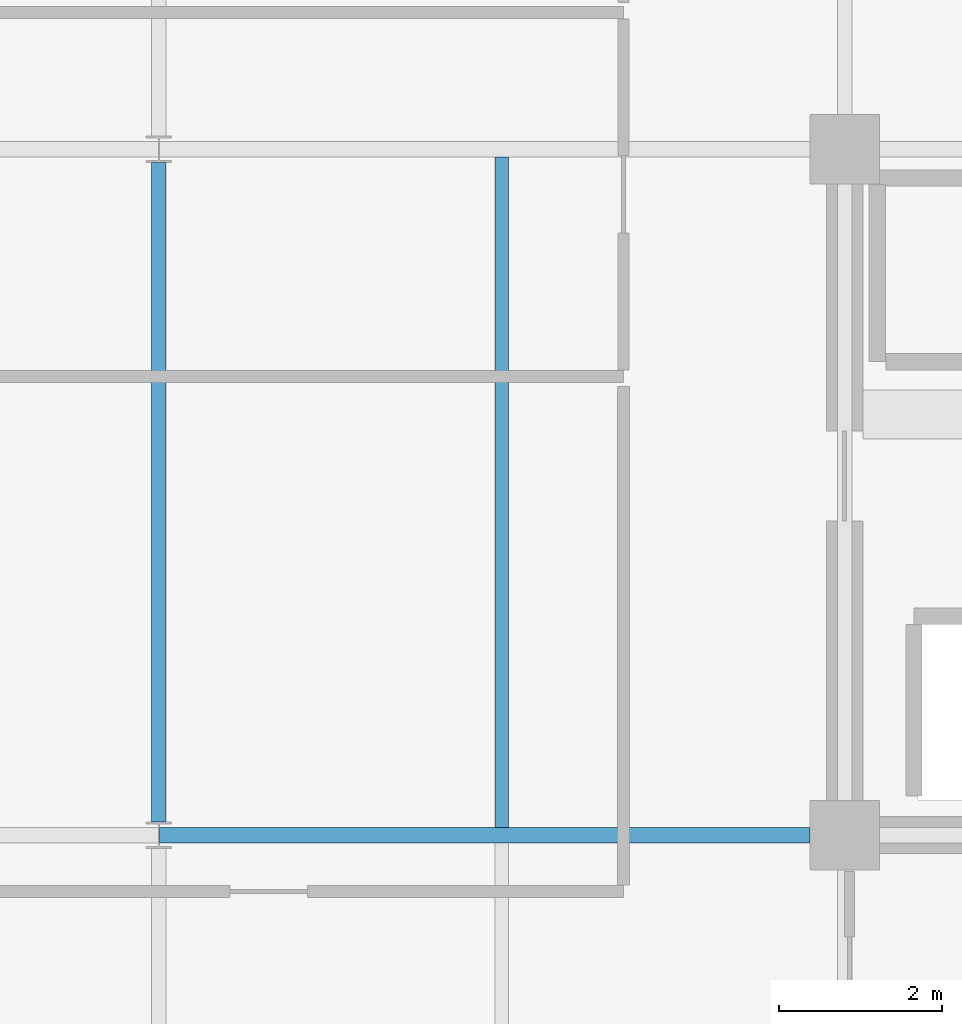
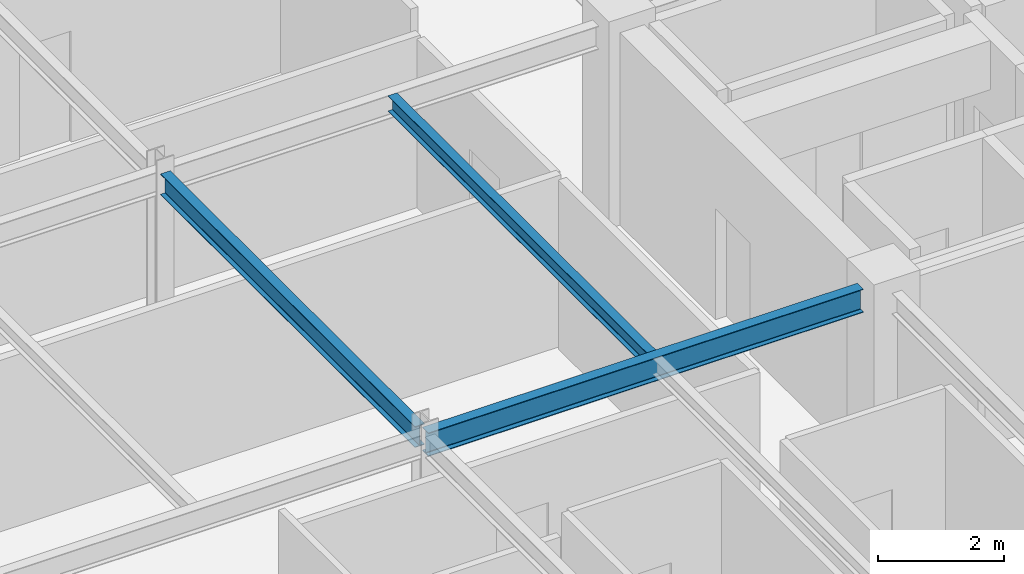
# One storey, part 6 of 25: 3 beams.
"""IFC4 building model written with IfcOpenShell, lengths in metres."""

from ifc_helpers import new_model, si_unit, direction, frame, origin, origin_2d, place, context, subcontext, project, spatial, i_section, extrude, material, material_profile, profile_set, type_object, element, save


model = new_model("IFC4")

# Units and contexts
model_context = context("Model", 3, precision=1e-05, world=origin(), true_north=direction((0.0, 1.0)))
body_context = subcontext(model_context, "Body", "Model", "MODEL_VIEW")
ifc_project = project(units=[si_unit("LENGTHUNIT", "METRE"), si_unit("AREAUNIT", "SQUARE_METRE"), si_unit("VOLUMEUNIT", "CUBIC_METRE"), si_unit("PLANEANGLEUNIT", "RADIAN"), si_unit("MASSUNIT", "GRAM", prefix="KILO")], contexts=[model_context])

# Site, building, storey
site_placement = place(None, origin())
site = spatial("IfcSite", under=ifc_project, at=site_placement, CompositionType="ELEMENT")
building_placement = place(site_placement, origin())
building = spatial("IfcBuilding", under=site, at=building_placement, Name="Nerrivon Quay Data Exchange", CompositionType="ELEMENT")
storey_placement = place(building_placement, frame((0.0, 0.0, 290.199951171875)))
storey = spatial("IfcBuildingStorey", under=building, at=storey_placement, Name="L69", CompositionType="ELEMENT", Elevation=290.199951171875)

# Beams
ifc_material = material(Name="Steel Grade 350", Category="steel")
ifc_material_profile_1 = material_profile(ifc_material, i_section(OverallWidth=0.18994140625, OverallDepth=0.4541015625, WebThickness=0.008544921875, FlangeThickness=0.0126953125, FilletRadius=0.011474609375, at=origin_2d()), Name="460UB67.1")
ifc_profile_set_1 = profile_set([ifc_material_profile_1], Name="Steel Grade 350")
beam_type_1 = type_object("IfcBeamType", Name="BM-G6-460UB67", PredefinedType="BEAM", material=ifc_profile_set_1)
beam_1_placement = place(storey_placement, frame((8.40771484375, 8.39990234375, 3.498046875), z_axis=(1.0, 0.0, 0.0), x_axis=(0.0, 1.0, 0.0)))
element("IfcBeam", 1, at=beam_1_placement, inside=storey, type_object=beam_type_1, Name="L69 EW Girder Y=8.4 (8.4..16.8)", PredefinedType="BEAM", context=body_context, shape_type="SweptSolid", body=[
    extrude(i_section(OverallWidth=0.18994140625, OverallDepth=0.4541015625, WebThickness=0.008544921875, FlangeThickness=0.0126953125, FilletRadius=0.011474609375, at=origin_2d()), origin(), (0.0, 0.0, 1.0), 7.96728515625),
])
ifc_material_profile_2 = material_profile(ifc_material, i_section(OverallWidth=0.177978515625, OverallDepth=0.406005859375, WebThickness=0.0078125, FlangeThickness=0.0126953125, FilletRadius=0.011474609375, at=origin_2d()), Name="410UB59.7")
ifc_profile_set_2 = profile_set([ifc_material_profile_2], Name="Steel Grade 350")
beam_type_2 = type_object("IfcBeamType", Name="BM-J1-410UB60", PredefinedType="JOIST", material=ifc_profile_set_2)
beam_2_placement = place(storey_placement, frame((8.39990234375, 8.5634765625, 3.52197265625), z_axis=(0.0, 1.0, 0.0), x_axis=(-1.0, 0.0, 0.0)))
element("IfcBeam", 2, at=beam_2_placement, inside=storey, type_object=beam_type_2, Name="L69 NS Girder X=8.4 (8.4..16.8)", PredefinedType="JOIST", context=body_context, shape_type="SweptSolid", body=[
    extrude(i_section(OverallWidth=0.177978515625, OverallDepth=0.406005859375, WebThickness=0.0078125, FlangeThickness=0.0126953125, FilletRadius=0.011474609375, at=origin_2d()), origin(), (0.0, 0.0, 1.0), 8.072998046875),
])
ifc_material_profile_3 = material_profile(ifc_material, i_section(OverallWidth=0.1650390625, OverallDepth=0.303955078125, WebThickness=0.006103515625, FlangeThickness=0.01025390625, FilletRadius=0.011474609375, at=origin_2d()), Name="310UB40.4")
ifc_profile_set_3 = profile_set([ifc_material_profile_3], Name="Steel Grade 350")
beam_type_3 = type_object("IfcBeamType", Name="BM-J6-310UB40", PredefinedType="JOIST", material=ifc_profile_set_3)
beam_3_placement = place(storey_placement, frame((12.60009765625, 8.4951171875, 3.572998046875), z_axis=(0.0, 1.0, 0.0), x_axis=(-1.0, 0.0, 0.0)))
element("IfcBeam", 3, at=beam_3_placement, inside=storey, type_object=beam_type_3, Name="L69 Secondary Joist X=12.6 (8.4..16.8)", PredefinedType="JOIST", context=body_context, shape_type="SweptSolid", body=[
    extrude(i_section(OverallWidth=0.1650390625, OverallDepth=0.303955078125, WebThickness=0.006103515625, FlangeThickness=0.01025390625, FilletRadius=0.011474609375, at=origin_2d()), origin(), (0.0, 0.0, 1.0), 8.2099609375),
])

save(model, "model.ifc")
